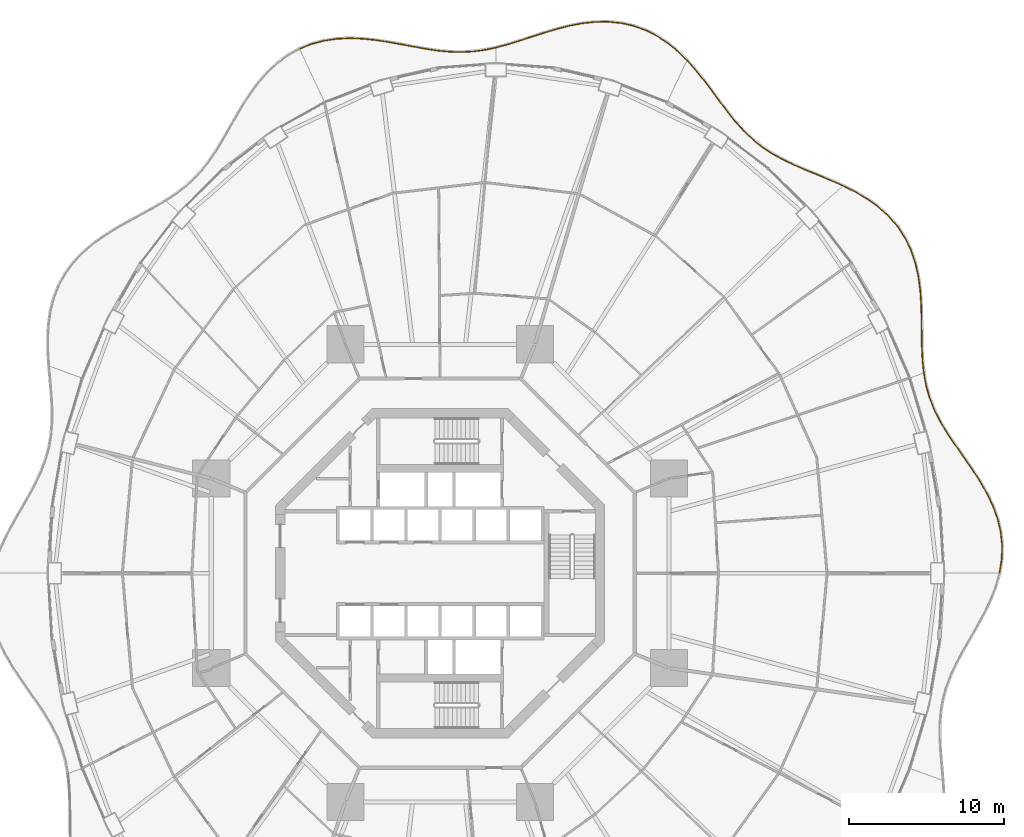
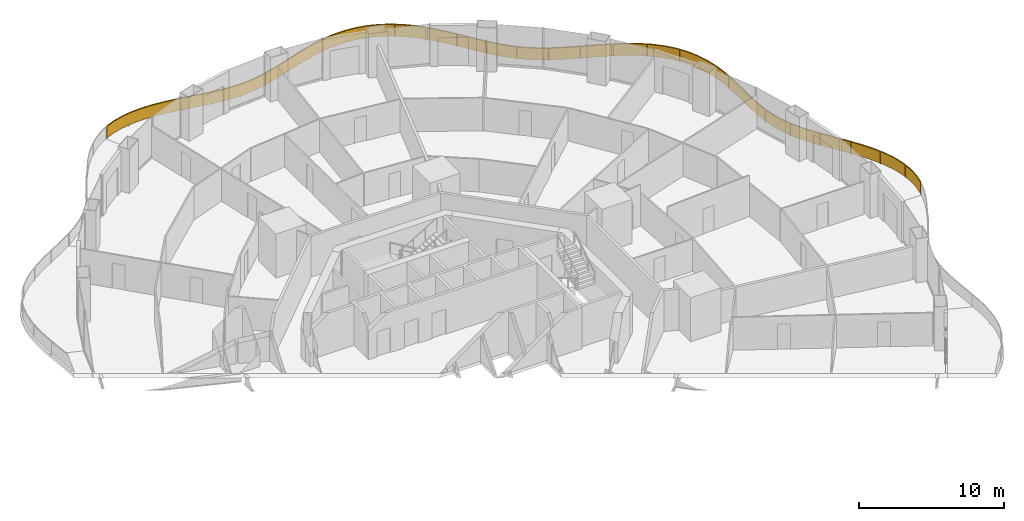
# One storey, part 22 of 22: 5 railings.
"""IFC4 building model written with IfcOpenShell, lengths in metres."""

from ifc_helpers import new_model, si_unit, direction, frame, origin, origin_2d, place, context, subcontext, project, spatial, polyline, rectangle, outline, extrude, material, type_object, element, save


model = new_model("IFC4")

# Units and contexts
model_context = context("Model", 3, precision=1e-05, world=origin(), true_north=direction((0.0, 1.0)))
body_context = subcontext(model_context, "Body", "Model", "MODEL_VIEW")
ifc_project = project(units=[si_unit("LENGTHUNIT", "METRE"), si_unit("AREAUNIT", "SQUARE_METRE"), si_unit("VOLUMEUNIT", "CUBIC_METRE"), si_unit("PLANEANGLEUNIT", "RADIAN"), si_unit("MASSUNIT", "GRAM", prefix="KILO")], contexts=[model_context])

# Site, building, storey
site_placement = place(None, origin())
site = spatial("IfcSite", under=ifc_project, at=site_placement, CompositionType="ELEMENT")
building_placement = place(site_placement, origin())
building = spatial("IfcBuilding", under=site, at=building_placement, Name="Nagisa Residences", CompositionType="ELEMENT")
storey_placement = place(building_placement, frame((0.0, 0.0, 30.699951171875)))
storey = spatial("IfcBuildingStorey", under=building, at=storey_placement, Name="L06", CompositionType="ELEMENT", Elevation=30.699951171875)

# Railings
ifc_material = material(Name="Stainless steel 316", Category="steel")
railing_type = type_object("IfcRailingType", Name="BALCONY GUARD 1100", PredefinedType="BALUSTRADE", material=ifc_material)
railing_1_placement = place(storey_placement, frame((36.122314453125, 0.0380859375, 0.0)))
element("IfcRailing", 1, at=railing_1_placement, inside=storey, type_object=railing_type, Name="guard:L06:bal00-0", PredefinedType="BALUSTRADE", context=body_context, shape_type="SweptSolid", body=[
    extrude(outline(polyline([(0.114501953125, 0.843994140625), (-0.024658203125, 0.004150390625), (0.024658203125, -0.004150390625), (0.164306640625, 0.839111328125), (0.194580078125, 1.73095703125), (0.104736328125, 2.618408203125), (-0.101318359375, 3.494140625), (-0.4140625, 4.3525390625), (-0.815185546875, 5.175537109375), (-1.287353515625, 5.988525390625), (-1.80419921875, 6.778076171875), (-2.33984375, 7.54736328125), (-2.868408203125, 8.30078125), (-3.362548828125, 9.031494140625), (-3.808349609375, 9.775146484375), (-4.187744140625, 10.5263671875), (-4.49169921875, 11.2939453125), (-4.71728515625, 12.085205078125), (-4.86083984375, 12.865478515625), (-4.91015625, 12.856201171875), (-4.76611328125, 12.073974609375), (-4.5390625, 11.27783203125), (-4.233642578125, 10.505859375), (-3.852294921875, 9.750732421875), (-3.404541015625, 9.004638671875), (-2.909423828125, 8.2724609375), (-2.380859375, 7.5185546875), (-1.845703125, 6.750244140625), (-1.329833984375, 5.962158203125), (-0.859619140625, 5.152099609375), (-0.4599609375, 4.3330078125), (-0.149169921875, 3.47998046875), (0.055419921875, 2.610107421875), (0.144287109375, 1.7294921875), (0.114501953125, 0.843994140625)])), frame((0.0, 0.0, 1.050048828125)), (0.0, 0.0, 1.0), 0.050048828125),
    extrude(outline(polyline([(0.13232421875, 0.84228515625), (-0.0068359375, 0.001220703125), (0.0068359375, -0.001220703125), (0.146484375, 0.8408203125), (0.176513671875, 1.73046875), (0.0869140625, 2.615478515625), (-0.118408203125, 3.489013671875), (-0.4306640625, 4.345458984375), (-0.831298828125, 5.1669921875), (-1.302734375, 5.97900390625), (-1.819091796875, 6.76806640625), (-2.3544921875, 7.536865234375), (-2.883056640625, 8.29052734375), (-3.377685546875, 9.021728515625), (-3.82421875, 9.766357421875), (-4.204345703125, 10.51904296875), (-4.5087890625, 11.2880859375), (-4.73486328125, 12.081298828125), (-4.878662109375, 12.862060546875), (-4.892333984375, 12.859619140625), (-4.74853515625, 12.077880859375), (-4.52197265625, 11.28369140625), (-4.217041015625, 10.51318359375), (-3.83642578125, 9.759521484375), (-3.389404296875, 9.014404296875), (-2.894775390625, 8.28271484375), (-2.3662109375, 7.529052734375), (-1.830810546875, 6.76025390625), (-1.314453125, 5.9716796875), (-0.843505859375, 5.16064453125), (-0.443359375, 4.340087890625), (-0.132080078125, 3.485107421875), (0.0732421875, 2.613037109375), (0.162353515625, 1.72998046875), (0.13232421875, 0.84228515625)])), frame((0.0, 0.0, 0.06005859375)), (0.0, 0.0, 1.0), 0.989990234375),
    extrude(rectangle(XDim=0.0400390625, YDim=0.0400390625, at=origin_2d()), origin(), (0.0, 0.0, 1.0), 1.050048828125),
    extrude(rectangle(XDim=0.0400390625, YDim=0.0400390625, at=origin_2d()), frame((0.107666015625, 2.34033203125, 0.0)), (0.0, 0.0, 1.0), 1.050048828125),
    extrude(rectangle(XDim=0.0400390625, YDim=0.0400390625, at=origin_2d()), frame((-0.556640625, 4.588134765625, 0.0)), (0.0, 0.0, 1.0), 1.050048828125),
    extrude(rectangle(XDim=0.0400390625, YDim=0.0400390625, at=origin_2d()), frame((-1.73388671875, 6.625, 0.0)), (0.0, 0.0, 1.0), 1.050048828125),
    extrude(rectangle(XDim=0.0400390625, YDim=0.0400390625, at=origin_2d()), frame((-3.074951171875, 8.5615234375, 0.0)), (0.0, 0.0, 1.0), 1.050048828125),
    extrude(rectangle(XDim=0.0400390625, YDim=0.0400390625, at=origin_2d()), frame((-4.24462890625, 10.601806640625, 0.0)), (0.0, 0.0, 1.0), 1.050048828125),
    extrude(rectangle(XDim=0.0400390625, YDim=0.0400390625, at=origin_2d()), frame((-4.885498046875, 12.86083984375, 0.0)), (0.0, 0.0, 1.0), 1.050048828125),
])
railing_2_placement = place(storey_placement, frame((31.228515625, 12.96923828125, 0.0)))
element("IfcRailing", 2, at=railing_2_placement, inside=storey, type_object=railing_type, Name="guard:L06:bal01-0", PredefinedType="BALUSTRADE", context=body_context, shape_type="SweptSolid", body=[
    extrude(outline(polyline([(-0.10595703125, 0.783447265625), (-0.02490234375, -0.002685546875), (0.02490234375, 0.002685546875), (-0.05615234375, 0.787353515625), (-0.0966796875, 1.643310546875), (-0.1103515625, 2.5263671875), (-0.11767578125, 3.43017578125), (-0.14111328125, 4.345703125), (-0.195556640625, 5.249267578125), (-0.314697265625, 6.154541015625), (-0.5087890625, 7.034912109375), (-0.79052734375, 7.877685546875), (-1.16748046875, 8.67138671875), (-1.63427734375, 9.393798828125), (-2.203125, 10.06201171875), (-2.8583984375, 10.662109375), (-3.5869140625, 11.19482421875), (-4.372802734375, 11.66455078125), (-5.15673828125, 12.05810546875), (-5.17919921875, 12.01318359375), (-4.396728515625, 11.62060546875), (-3.61474609375, 11.15283203125), (-2.89013671875, 10.62353515625), (-2.2392578125, 10.02734375), (-1.67431640625, 9.364013671875), (-1.21142578125, 8.64697265625), (-0.8369140625, 7.859130859375), (-0.55712890625, 7.021728515625), (-0.364013671875, 6.145751953125), (-0.245361328125, 5.244384765625), (-0.19091796875, 4.34375), (-0.16748046875, 3.42919921875), (-0.16015625, 2.52587890625), (-0.146484375, 1.641845703125), (-0.10595703125, 0.783447265625)])), frame((0.0, 0.0, 1.050048828125)), (0.0, 0.0, 1.0), 0.050048828125),
    extrude(outline(polyline([(-0.088134765625, 0.784912109375), (-0.007080078125, -0.000732421875), (0.007080078125, 0.000732421875), (-0.073974609375, 0.785888671875), (-0.114501953125, 1.642822265625), (-0.128173828125, 2.526123046875), (-0.135498046875, 3.4296875), (-0.158935546875, 4.344970703125), (-0.21337890625, 5.24755859375), (-0.33251953125, 6.1513671875), (-0.526123046875, 7.0302734375), (-0.80712890625, 7.87109375), (-1.183349609375, 8.66259765625), (-1.648681640625, 9.383056640625), (-2.216064453125, 10.049560546875), (-2.869873046875, 10.648193359375), (-3.596923828125, 11.1796875), (-4.38134765625, 11.648681640625), (-5.164794921875, 12.0419921875), (-5.171142578125, 12.029296875), (-4.38818359375, 11.636474609375), (-3.604736328125, 11.16796875), (-2.878662109375, 10.637451171875), (-2.226318359375, 10.039794921875), (-1.659912109375, 9.374755859375), (-1.195556640625, 8.65576171875), (-0.8203125, 7.86572265625), (-0.539794921875, 7.0263671875), (-0.34619140625, 6.14892578125), (-0.2275390625, 5.24609375), (-0.173095703125, 4.344482421875), (-0.149658203125, 3.4296875), (-0.142333984375, 2.526123046875), (-0.128662109375, 1.642333984375), (-0.088134765625, 0.784912109375)])), frame((0.0, 0.0, 0.06005859375)), (0.0, 0.0, 1.0), 0.989990234375),
    extrude(rectangle(XDim=0.0400390625, YDim=0.0400390625, at=origin_2d()), origin(), (0.0, 0.0, 1.0), 1.050048828125),
    extrude(rectangle(XDim=0.0400390625, YDim=0.0400390625, at=origin_2d()), frame((-0.132568359375, 2.35009765625, 0.0)), (0.0, 0.0, 1.0), 1.050048828125),
    extrude(rectangle(XDim=0.0400390625, YDim=0.0400390625, at=origin_2d()), frame((-0.187744140625, 4.70458984375, 0.0)), (0.0, 0.0, 1.0), 1.050048828125),
    extrude(rectangle(XDim=0.0400390625, YDim=0.0400390625, at=origin_2d()), frame((-0.533447265625, 7.02978515625, 0.0)), (0.0, 0.0, 1.0), 1.050048828125),
    extrude(rectangle(XDim=0.0400390625, YDim=0.0400390625, at=origin_2d()), frame((-1.5126953125, 9.15966796875, 0.0)), (0.0, 0.0, 1.0), 1.050048828125),
    extrude(rectangle(XDim=0.0400390625, YDim=0.0400390625, at=origin_2d()), frame((-3.14404296875, 10.840087890625, 0.0)), (0.0, 0.0, 1.0), 1.050048828125),
    extrude(rectangle(XDim=0.0400390625, YDim=0.0400390625, at=origin_2d()), frame((-5.16796875, 12.03564453125, 0.0)), (0.0, 0.0, 1.0), 1.050048828125),
])
railing_3_placement = place(storey_placement, frame((25.990478515625, 25.036865234375, 0.0)))
element("IfcRailing", 3, at=railing_3_placement, inside=storey, type_object=railing_type, Name="guard:L06:bal02-0", PredefinedType="BALUSTRADE", context=body_context, shape_type="SweptSolid", body=[
    extrude(outline(polyline([(-0.771728515625, 0.314453125), (-0.01025390625, -0.02294921875), (0.01025390625, 0.02294921875), (-0.752197265625, 0.3603515625), (-1.556640625, 0.695068359375), (-2.347412109375, 1.019775390625), (-3.11181640625, 1.349365234375), (-3.83984375, 1.698486328125), (-4.513916015625, 2.0693359375), (-5.155517578125, 2.492919921875), (-5.75439453125, 2.966552734375), (-6.31591796875, 3.49365234375), (-6.847900390625, 4.07373046875), (-7.346923828125, 4.692626953125), (-7.852783203125, 5.359130859375), (-8.363525390625, 6.051513671875), (-8.89111328125, 6.753173828125), (-9.44677734375, 7.445556640625), (-10.00537109375, 8.075927734375), (-10.04296875, 8.042724609375), (-9.48486328125, 7.413330078125), (-8.9306640625, 6.722412109375), (-8.403564453125, 6.021728515625), (-7.892822265625, 5.329345703125), (-7.386474609375, 4.661865234375), (-6.885986328125, 4.041015625), (-6.3515625, 3.45849609375), (-5.787109375, 2.928466796875), (-5.184814453125, 2.452392578125), (-4.539794921875, 2.0263671875), (-3.86279296875, 1.654052734375), (-3.13232421875, 1.303955078125), (-2.366943359375, 0.973876953125), (-1.57568359375, 0.648681640625), (-0.771728515625, 0.314453125)])), frame((0.0, 0.0, 1.050048828125)), (0.0, 0.0, 1.0), 0.050048828125),
    extrude(outline(polyline([(-0.7646484375, 0.3310546875), (-0.0029296875, -0.00634765625), (0.0029296875, 0.00634765625), (-0.75927734375, 0.34375), (-1.5634765625, 0.67822265625), (-2.3544921875, 1.003173828125), (-3.119140625, 1.3330078125), (-3.84814453125, 1.6826171875), (-4.523193359375, 2.053955078125), (-5.166015625, 2.478271484375), (-5.76611328125, 2.952880859375), (-6.328857421875, 3.48095703125), (-6.861572265625, 4.06201171875), (-7.361083984375, 4.681640625), (-7.8671875, 5.348388671875), (-8.3779296875, 6.040771484375), (-8.9052734375, 6.7421875), (-9.46044921875, 7.433837890625), (-10.01904296875, 8.06396484375), (-10.029296875, 8.0546875), (-9.47119140625, 7.425048828125), (-8.91650390625, 6.7333984375), (-8.38916015625, 6.032470703125), (-7.87841796875, 5.340087890625), (-7.372314453125, 4.6728515625), (-6.872314453125, 4.052734375), (-6.338623046875, 3.47119140625), (-5.775390625, 2.942138671875), (-5.17431640625, 2.467041015625), (-4.530517578125, 2.041748046875), (-3.8544921875, 1.669921875), (-3.125, 1.3203125), (-2.35986328125, 0.990478515625), (-1.56884765625, 0.66552734375), (-0.7646484375, 0.3310546875)])), frame((0.0, 0.0, 0.06005859375)), (0.0, 0.0, 1.0), 0.989990234375),
    extrude(rectangle(XDim=0.0400390625, YDim=0.0400390625, at=origin_2d()), origin(), (0.0, 0.0, 1.0), 1.050048828125),
    extrude(rectangle(XDim=0.0400390625, YDim=0.0400390625, at=origin_2d()), frame((-2.02001953125, 0.8583984375, 0.0)), (0.0, 0.0, 1.0), 1.050048828125),
    extrude(rectangle(XDim=0.0400390625, YDim=0.0400390625, at=origin_2d()), frame((-4.0166015625, 1.76708984375, 0.0)), (0.0, 0.0, 1.0), 1.050048828125),
    extrude(rectangle(XDim=0.0400390625, YDim=0.0400390625, at=origin_2d()), frame((-5.826171875, 2.99951171875, 0.0)), (0.0, 0.0, 1.0), 1.050048828125),
    extrude(rectangle(XDim=0.0400390625, YDim=0.0400390625, at=origin_2d()), frame((-7.3125, 4.610107421875, 0.0)), (0.0, 0.0, 1.0), 1.050048828125),
    extrude(rectangle(XDim=0.0400390625, YDim=0.0400390625, at=origin_2d()), frame((-8.630615234375, 6.364990234375, 0.0)), (0.0, 0.0, 1.0), 1.050048828125),
    extrude(rectangle(XDim=0.0400390625, YDim=0.0400390625, at=origin_2d()), frame((-10.024169921875, 8.059326171875, 0.0)), (0.0, 0.0, 1.0), 1.050048828125),
])
railing_4_placement = place(storey_placement, frame((15.91357421875, 33.152587890625, 0.0)))
element("IfcRailing", 4, at=railing_4_placement, inside=storey, type_object=railing_type, Name="guard:L06:bal03-0", PredefinedType="BALUSTRADE", context=body_context, shape_type="SweptSolid", body=[
    extrude(outline(polyline([(-0.591552734375, 0.544189453125), (-0.017578125, -0.017822265625), (0.017578125, 0.017822265625), (-0.558349609375, 0.581298828125), (-1.212890625, 1.115478515625), (-1.9111328125, 1.573974609375), (-2.65087890625, 1.94580078125), (-3.42724609375, 2.223876953125), (-4.21728515625, 2.3984375), (-5.046142578125, 2.48193359375), (-5.88916015625, 2.4736328125), (-6.7373046875, 2.38427734375), (-7.582763671875, 2.22607421875), (-8.4013671875, 2.01318359375), (-9.22216796875, 1.7685546875), (-10.02587890625, 1.5087890625), (-10.81005859375, 1.25244140625), (-11.57666015625, 1.0166015625), (-12.285888671875, 0.826171875), (-12.272705078125, 0.77783203125), (-11.56298828125, 0.96826171875), (-10.794921875, 1.20458984375), (-10.01025390625, 1.46142578125), (-9.20751953125, 1.720703125), (-8.3876953125, 1.96484375), (-7.572021484375, 2.17724609375), (-6.72998046875, 2.33447265625), (-5.88623046875, 2.423828125), (-5.048583984375, 2.431640625), (-4.22509765625, 2.34912109375), (-3.44091796875, 2.175537109375), (-2.67041015625, 1.89990234375), (-1.93603515625, 1.530517578125), (-1.24267578125, 1.074951171875), (-0.591552734375, 0.544189453125)])), frame((0.0, 0.0, 1.050048828125)), (0.0, 0.0, 1.0), 0.050048828125),
    extrude(outline(polyline([(-0.57958984375, 0.5576171875), (-0.0048828125, -0.0048828125), (0.0048828125, 0.0048828125), (-0.5703125, 0.56787109375), (-1.2236328125, 1.100830078125), (-1.920166015625, 1.558349609375), (-2.657958984375, 1.92919921875), (-3.43212890625, 2.20654296875), (-4.219970703125, 2.380615234375), (-5.047119140625, 2.4638671875), (-5.88818359375, 2.455810546875), (-6.734619140625, 2.3662109375), (-7.578857421875, 2.20849609375), (-8.396484375, 1.995849609375), (-9.217041015625, 1.751220703125), (-10.020263671875, 1.49169921875), (-10.8046875, 1.235107421875), (-11.57177734375, 0.999267578125), (-12.281005859375, 0.808837890625), (-12.277587890625, 0.795166015625), (-11.56787109375, 0.985595703125), (-10.80029296875, 1.221923828125), (-10.015869140625, 1.478515625), (-9.212646484375, 1.738037109375), (-8.392578125, 1.982177734375), (-7.575927734375, 2.19482421875), (-6.732666015625, 2.3525390625), (-5.88720703125, 2.441650390625), (-5.047607421875, 2.44970703125), (-4.222412109375, 2.366943359375), (-3.43603515625, 2.19287109375), (-2.663330078125, 1.91650390625), (-1.927001953125, 1.546142578125), (-1.23193359375, 1.089599609375), (-0.57958984375, 0.5576171875)])), frame((0.0, 0.0, 0.06005859375)), (0.0, 0.0, 1.0), 0.989990234375),
    extrude(rectangle(XDim=0.0400390625, YDim=0.0400390625, at=origin_2d()), origin(), (0.0, 0.0, 1.0), 1.050048828125),
    extrude(rectangle(XDim=0.0400390625, YDim=0.0400390625, at=origin_2d()), frame((-1.692626953125, 1.400634765625, 0.0)), (0.0, 0.0, 1.0), 1.050048828125),
    extrude(rectangle(XDim=0.0400390625, YDim=0.0400390625, at=origin_2d()), frame((-3.707763671875, 2.26025390625, 0.0)), (0.0, 0.0, 1.0), 1.050048828125),
    extrude(rectangle(XDim=0.0400390625, YDim=0.0400390625, at=origin_2d()), frame((-5.894287109375, 2.447998046875, 0.0)), (0.0, 0.0, 1.0), 1.050048828125),
    extrude(rectangle(XDim=0.0400390625, YDim=0.0400390625, at=origin_2d()), frame((-8.06201171875, 2.075439453125, 0.0)), (0.0, 0.0, 1.0), 1.050048828125),
    extrude(rectangle(XDim=0.0400390625, YDim=0.0400390625, at=origin_2d()), frame((-10.169677734375, 1.435546875, 0.0)), (0.0, 0.0, 1.0), 1.050048828125),
    extrude(rectangle(XDim=0.0400390625, YDim=0.0400390625, at=origin_2d()), frame((-12.279296875, 0.802001953125, 0.0)), (0.0, 0.0, 1.0), 1.050048828125),
])
railing_5_placement = place(storey_placement, frame((3.565185546875, 33.936279296875, 0.0)))
element("IfcRailing", 5, at=railing_5_placement, inside=storey, type_object=railing_type, Name="guard:L06:bal04-0", PredefinedType="BALUSTRADE", context=body_context, shape_type="SweptSolid", body=[
    extrude(outline(polyline([(-0.69482421875, -0.16943359375), (0.005126953125, -0.0244140625), (-0.005126953125, 0.0244140625), (-0.703125, -0.1201171875), (-1.43994140625, -0.218017578125), (-2.177978515625, -0.25732421875), (-2.924072265625, -0.239501953125), (-3.68359375, -0.16943359375), (-4.44287109375, -0.054931640625), (-5.239990234375, 0.08642578125), (-6.056640625, 0.24072265625), (-6.8916015625, 0.390625), (-7.740234375, 0.517578125), (-8.579833984375, 0.608642578125), (-9.43603515625, 0.637451171875), (-10.282470703125, 0.594482421875), (-11.1103515625, 0.46875), (-11.909912109375, 0.253173828125), (-12.62646484375, -0.03662109375), (-12.60791015625, -0.0830078125), (-11.893798828125, 0.205810546875), (-11.10009765625, 0.419921875), (-10.277587890625, 0.544677734375), (-9.435546875, 0.587158203125), (-8.583251953125, 0.558837890625), (-7.74658203125, 0.4677734375), (-6.89990234375, 0.34130859375), (-6.06591796875, 0.19140625), (-5.248779296875, 0.037109375), (-4.451171875, -0.104248046875), (-3.689453125, -0.21923828125), (-2.927001953125, -0.289306640625), (-2.177490234375, -0.3076171875), (-1.43505859375, -0.267822265625), (-0.69482421875, -0.16943359375)])), frame((0.0, 0.0, 1.050048828125)), (0.0, 0.0, 1.0), 0.050048828125),
    extrude(outline(polyline([(-0.69775390625, -0.151611328125), (0.00146484375, -0.0068359375), (-0.00146484375, 0.0068359375), (-0.7001953125, -0.137939453125), (-1.438232421875, -0.23583984375), (-2.177734375, -0.275390625), (-2.925048828125, -0.25732421875), (-3.685791015625, -0.1875), (-4.44580078125, -0.07275390625), (-5.2431640625, 0.068603515625), (-6.06005859375, 0.222900390625), (-6.89453125, 0.372802734375), (-7.742431640625, 0.49951171875), (-8.5810546875, 0.5908203125), (-9.435791015625, 0.619384765625), (-10.28076171875, 0.57666015625), (-11.106689453125, 0.451171875), (-11.904052734375, 0.236083984375), (-12.619873046875, -0.05322265625), (-12.614501953125, -0.06640625), (-11.899658203125, 0.222900390625), (-11.103759765625, 0.4375), (-10.279296875, 0.5625), (-9.435791015625, 0.605224609375), (-8.58203125, 0.57666015625), (-7.744384765625, 0.48583984375), (-6.89697265625, 0.359130859375), (-6.0625, 0.209228515625), (-5.24560546875, 0.054931640625), (-4.4482421875, -0.08642578125), (-3.687255859375, -0.201171875), (-2.926025390625, -0.271484375), (-2.177734375, -0.28955078125), (-1.436767578125, -0.25), (-0.69775390625, -0.151611328125)])), frame((0.0, 0.0, 0.06005859375)), (0.0, 0.0, 1.0), 0.989990234375),
    extrude(rectangle(XDim=0.0400390625, YDim=0.0400390625, at=origin_2d()), origin(), (0.0, 0.0, 1.0), 1.050048828125),
    extrude(rectangle(XDim=0.0400390625, YDim=0.0400390625, at=origin_2d()), frame((-2.111328125, -0.27880859375, 0.0)), (0.0, 0.0, 1.0), 1.050048828125),
    extrude(rectangle(XDim=0.0400390625, YDim=0.0400390625, at=origin_2d()), frame((-4.2353515625, -0.111572265625, 0.0)), (0.0, 0.0, 1.0), 1.050048828125),
    extrude(rectangle(XDim=0.0400390625, YDim=0.0400390625, at=origin_2d()), frame((-6.335205078125, 0.265380859375, 0.0)), (0.0, 0.0, 1.0), 1.050048828125),
    extrude(rectangle(XDim=0.0400390625, YDim=0.0400390625, at=origin_2d()), frame((-8.446533203125, 0.569091796875, 0.0)), (0.0, 0.0, 1.0), 1.050048828125),
    extrude(rectangle(XDim=0.0400390625, YDim=0.0400390625, at=origin_2d()), frame((-10.574462890625, 0.52490234375, 0.0)), (0.0, 0.0, 1.0), 1.050048828125),
    extrude(rectangle(XDim=0.0400390625, YDim=0.0400390625, at=origin_2d()), frame((-12.6171875, -0.059814453125, 0.0)), (0.0, 0.0, 1.0), 1.050048828125),
])

save(model, "model.ifc")
